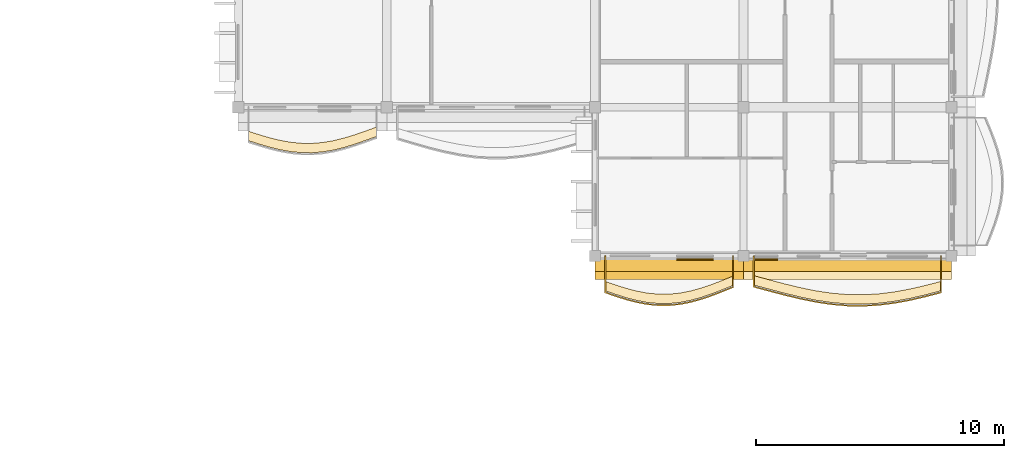
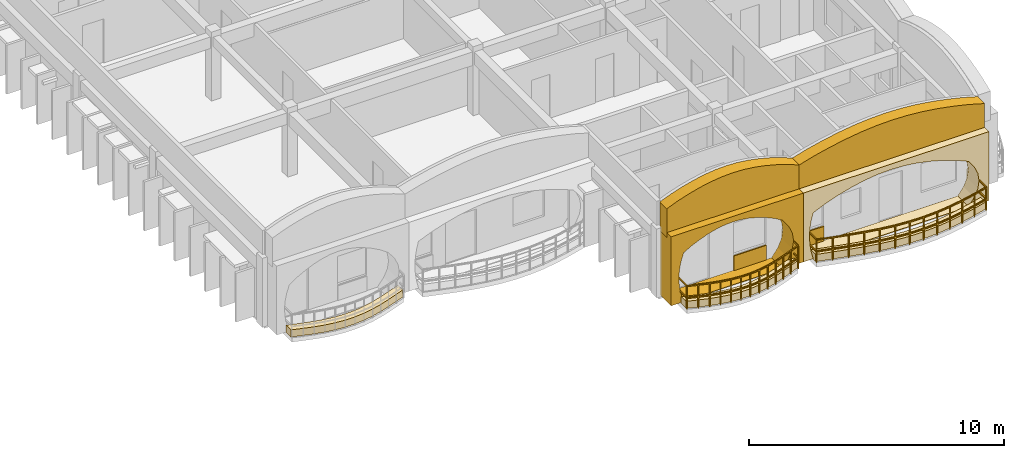
# One storey, part 51 of 59: 9 coverings, 2 railings.
"""IFC4 building model written with IfcOpenShell, lengths in metres."""

import ifcopenshell
import ifcopenshell.guid

model = None  # the IFC model being written
_history = None  # IfcOwnerHistory: only IFC2X3 demands one
_inside = {}  # id of a spatial element -> (the spatial element, [elements in it])
_under = {}  # id of a project, library or spatial element -> (it, [spatial elements below it])
_declared = {}  # id of a project -> (the project, [libraries it declares])
_typed = {}  # id of a type object -> (the type object, [elements of that type])
_made_of = {}  # id of a material, layer set ... -> (it, [elements and type objects made of it])


def new_model(schema):
    """Start an empty IFC model of exactly this schema.

    Asked for "IFC4X3", IfcOpenShell would pick the latest addendum, in which some entities
    have other attributes; the version numbers below select the first issue.
    IFC2X3 requires an IfcOwnerHistory on every rooted entity: one is made here for all.
    """
    global model, _history
    if schema == "IFC4X3":
        model = ifcopenshell.file(schema_version=(4, 3, 0, 0))
    else:
        model = ifcopenshell.file(schema=schema)
    _inside.clear()
    _under.clear()
    _declared.clear()
    _typed.clear()
    _made_of.clear()
    _history = None
    if model.schema == "IFC2X3":
        org = make("IfcOrganization", Name="unknown")
        user = make(
            "IfcPersonAndOrganization",
            ThePerson=make("IfcPerson", FamilyName="unknown"),
            TheOrganization=org,
        )
        app = make(
            "IfcApplication",
            ApplicationDeveloper=org,
            Version="unknown",
            ApplicationFullName="unknown",
            ApplicationIdentifier="unknown",
        )
        _history = make(
            "IfcOwnerHistory",
            OwningUser=user,
            OwningApplication=app,
            ChangeAction="ADDED",
            CreationDate=0,
        )
    return model


def make(cls, **values):
    """One entity of the class cls with the attributes given. An attribute that is None is left unset."""
    return model.create_entity(
        cls, **{name: value for name, value in values.items() if value is not None}
    )


def rooted(cls, **values):
    """An entity with a GlobalId (a new one), such as an element, a storey or a relation."""
    return make(cls, GlobalId=ifcopenshell.guid.new(), OwnerHistory=_history, **values)


def si_unit(unit_type, name, prefix=None):
    """IfcSIUnit, for example si_unit("LENGTHUNIT", "METRE", prefix="MILLI")."""
    return make("IfcSIUnit", UnitType=unit_type, Prefix=prefix, Name=name)


def assignment(units):
    """IfcUnitAssignment: the units of a project."""
    return None if units is None else make("IfcUnitAssignment", Units=units)


def point(xyz):
    """IfcCartesianPoint."""
    return None if xyz is None else make("IfcCartesianPoint", Coordinates=xyz)


def direction(xyz):
    """IfcDirection."""
    return None if xyz is None else make("IfcDirection", DirectionRatios=xyz)


def frame(location, z_axis=None, x_axis=None):
    """IfcAxis2Placement3D, a coordinate frame: its origin and axes. An axis left out is left unset."""
    return make(
        "IfcAxis2Placement3D",
        Location=point(location),
        Axis=direction(z_axis),
        RefDirection=direction(x_axis),
    )


def frame_2d(location, x_axis=None):
    """IfcAxis2Placement2D, a coordinate frame in the plane: its origin and x axis."""
    return make(
        "IfcAxis2Placement2D", Location=point(location), RefDirection=direction(x_axis)
    )


def origin():
    """The frame at (0, 0, 0) with its axes left unset."""
    return frame((0.0, 0.0, 0.0))


def origin_2d():
    """The frame at (0, 0) in the plane with its x axis left unset."""
    return frame_2d((0.0, 0.0))


def place(relative_to, where):
    """IfcLocalPlacement: puts the frame where relative to a parent placement (None: the world)."""
    return make(
        "IfcLocalPlacement", PlacementRelTo=relative_to, RelativePlacement=where
    )


def context(
    kind, dimensions, precision=None, world=None, true_north=None, identifier=None
):
    """IfcGeometricRepresentationContext, for example the 3D "Model" context."""
    return make(
        "IfcGeometricRepresentationContext",
        ContextIdentifier=identifier,
        ContextType=kind,
        CoordinateSpaceDimension=dimensions,
        Precision=precision,
        WorldCoordinateSystem=world,
        TrueNorth=true_north,
    )


def subcontext(parent, identifier, kind, view, scale=None):
    """IfcGeometricRepresentationSubContext, for example "Body" below "Model"."""
    return make(
        "IfcGeometricRepresentationSubContext",
        ContextIdentifier=identifier,
        ContextType=kind,
        ParentContext=parent,
        TargetScale=scale,
        TargetView=view,
    )


def project(units=None, contexts=None):
    """IfcProject with its units and contexts."""
    return rooted(
        "IfcProject",
        Name="project",
        RepresentationContexts=contexts,
        UnitsInContext=assignment(units),
    )


def spatial(cls, under=None, at=None, **own):
    """A site, building, storey or space (cls), placed at a placement, below another one or the project."""
    s = rooted(cls, ObjectPlacement=at, **own)
    if under is not None:
        _under.setdefault(under.id(), (under, []))[1].append(s)
    return s


def polyline(points):
    """IfcPolyline through the points."""
    return make("IfcPolyline", Points=[point(p) for p in points])


def profile(cls, at=None, kind="AREA", **sizes):
    """A parametric profile (cls). Its sizes go by their IFC names, for example OverallWidth=200.0."""
    return make(cls, ProfileType=kind, Position=at, **sizes)


def rectangle(**sizes):
    """IfcRectangleProfileDef."""
    return profile("IfcRectangleProfileDef", **sizes)


def outline(outer, holes=None, kind="AREA"):
    """IfcArbitraryClosedProfileDef: a profile drawn as a closed curve; with holes, ...WithVoids."""
    if holes is None:
        return make("IfcArbitraryClosedProfileDef", ProfileType=kind, OuterCurve=outer)
    return make(
        "IfcArbitraryProfileDefWithVoids",
        ProfileType=kind,
        OuterCurve=outer,
        InnerCurves=holes,
    )


def extrude(swept, where, along, depth):
    """IfcExtrudedAreaSolid: the profile swept, set in the frame where, extruded along a direction by depth."""
    return make(
        "IfcExtrudedAreaSolid",
        SweptArea=swept,
        Position=where,
        ExtrudedDirection=direction(along),
        Depth=depth,
    )


def shape(context_of_items, identifier, shape_type, items):
    """IfcShapeRepresentation: the items that make up one representation, for example the "Body"."""
    return make(
        "IfcShapeRepresentation",
        ContextOfItems=context_of_items,
        RepresentationIdentifier=identifier,
        RepresentationType=shape_type,
        Items=items,
    )


def material(Name=None, Category=None):
    """IfcMaterial."""
    return make("IfcMaterial", Name=Name, Category=Category)


def layer(
    of_material, thickness, ventilated=None, Name=None, Category=None, Priority=None
):
    """IfcMaterialLayer: one layer of a wall or slab, of a material (None: an air gap)."""
    return make(
        "IfcMaterialLayer",
        Material=of_material,
        LayerThickness=thickness,
        IsVentilated=ventilated,
        Name=Name,
        Category=Category,
        Priority=Priority,
    )


def layer_set(layers, Name=None):
    """IfcMaterialLayerSet."""
    return make("IfcMaterialLayerSet", MaterialLayers=layers, LayerSetName=Name)


def made_of(thing, what):
    """Note that an element or type object is made of a material, layer set ...; save() writes the relation."""
    if what is not None:
        _made_of.setdefault(what.id(), (what, []))[1].append(thing)
    return thing


def type_object(cls, material=None, **own):
    """A type object (cls), such as IfcWallType, which elements share."""
    return made_of(rooted(cls, **own), material)


def element(
    cls,
    number,
    at=None,
    inside=None,
    cuts=None,
    type_object=None,
    material=None,
    context=None,
    identifier="Body",
    shape_type=None,
    held_by="IfcProductDefinitionShape",
    body=None,
    shapes=None,
    **own,
):
    """One element of the class cls, such as IfcWall. Its Tag is "e" and its number.

    at: its placement. inside: the storey or other place that contains it. cuts: it is an
    opening in that element (IfcRelVoidsElement). A single representation is given by context,
    identifier, shape_type and body (its items); several are given by shapes. held_by: the class
    of the entity that holds the representations. save() writes the other relations.
    """
    e = rooted(cls, Tag="e%d" % number, ObjectPlacement=at, **own)
    if body is not None:
        shapes = [shape(context, identifier, shape_type, body)]
    if shapes is not None:
        e.Representation = make(held_by, Representations=shapes)
    if inside is not None:
        _inside.setdefault(inside.id(), (inside, []))[1].append(e)
    if cuts is not None:
        rooted(
            "IfcRelVoidsElement", RelatingBuildingElement=cuts, RelatedOpeningElement=e
        )
    if type_object is not None:
        _typed.setdefault(type_object.id(), (type_object, []))[1].append(e)
    return made_of(e, material)


def aggregate(whole, parts):
    """IfcRelAggregates: a whole, such as a stair, and the parts it consists of."""
    return rooted("IfcRelAggregates", RelatingObject=whole, RelatedObjects=parts)


def save(model, path):
    """Write the relations noted so far, then the file.

    IfcRelAggregates (storeys below a building ...), IfcRelContainedInSpatialStructure (elements
    in a storey), IfcRelDefinesByType, IfcRelAssociatesMaterial and IfcRelDeclares: one each for
    every whole, place, type object, material and project.
    """
    for whole, parts in _under.values():
        aggregate(whole, parts)
    for where, things in _inside.values():
        rooted(
            "IfcRelContainedInSpatialStructure",
            RelatedElements=things,
            RelatingStructure=where,
        )
    for kind, things in _typed.values():
        rooted("IfcRelDefinesByType", RelatedObjects=things, RelatingType=kind)
    for what, things in _made_of.values():
        rooted("IfcRelAssociatesMaterial", RelatedObjects=things, RelatingMaterial=what)
    for by, libraries in _declared.values():
        rooted("IfcRelDeclares", RelatingContext=by, RelatedDefinitions=libraries)
    model.write(path)


model = new_model("IFC4")

# Units and contexts
model_context = context("Model", 3, precision=1e-05, world=origin(), true_north=direction((0.0, 1.0)))
body_context = subcontext(model_context, "Body", "Model", "MODEL_VIEW")
ifc_project = project(units=[si_unit("LENGTHUNIT", "METRE"), si_unit("AREAUNIT", "SQUARE_METRE"), si_unit("VOLUMEUNIT", "CUBIC_METRE"), si_unit("PLANEANGLEUNIT", "RADIAN"), si_unit("MASSUNIT", "GRAM", prefix="KILO"), si_unit("THERMODYNAMICTEMPERATUREUNIT", "KELVIN")], contexts=[model_context])

# Site, building, storey
site_placement = place(None, origin())
site = spatial("IfcSite", under=ifc_project, at=site_placement, CompositionType="ELEMENT")
building_placement = place(site_placement, origin())
building = spatial("IfcBuilding", under=site, at=building_placement, Name="Thalorik Housing Commons", CompositionType="ELEMENT")
storey_placement = place(building_placement, frame((0.0, 0.0, 27.89990234375)))
storey = spatial("IfcBuildingStorey", under=building, at=storey_placement, Name="L08", CompositionType="ELEMENT", Elevation=27.89990234375)

# Coverings
ifc_material_1 = material(Name="Cobalt blue glazed ceramic facade tile panel", Category="masonry")
ifc_layer_1 = layer(ifc_material_1, 0.06005859375, Name="Cobalt blue glazed ceramic facade tile panel", Category="masonry")
ifc_layer_set_1 = layer_set([ifc_layer_1], Name="Cobalt blue glazed ceramic facade tile panel")
covering_type_1 = type_object("IfcCoveringType", Name="ARC-CLD-BLU-60", PredefinedType="CLADDING", material=ifc_layer_set_1)
covering_1_placement = place(storey_placement, frame((156.43994140625, 37.052490234375, 0.05029296875), z_axis=(0.0, 0.0, 1.0), x_axis=(1.0, 0.0, 0.0)))
element("IfcCovering", 1, at=covering_1_placement, inside=storey, type_object=covering_type_1, Name="L08 De Stijl Recessed Window Spandrel 5106", PredefinedType="CLADDING", context=body_context, shape_type="SweptSolid", body=[
    extrude(rectangle(XDim=1.47998046875, YDim=0.06005859375, at=origin_2d()), origin(), (0.0, 0.0, 1.0), 0.699951171875),
])
ifc_material_2 = material(Name="Precast concrete C40/50", Category="concrete")
ifc_layer_2 = layer(ifc_material_2, 0.85009765625, Name="Precast concrete C40/50", Category="concrete")
ifc_layer_set_2 = layer_set([ifc_layer_2], Name="Precast concrete C40/50")
covering_type_2 = type_object("IfcCoveringType", Name="ARC-CLD-CUSH-850", PredefinedType="CLADDING", material=ifc_layer_set_2)
covering_2_placement = place(storey_placement, frame((155.39990234375, 36.66259765625, 0.0), z_axis=(0.0, 0.0, 1.0), x_axis=(1.0, 0.0, 0.0)))
element("IfcCovering", 2, at=covering_2_placement, inside=storey, type_object=covering_type_2, Name="L08 White Precast Curved Cushion Bay Frame 5105", PredefinedType="CLADDING", context=body_context, shape_type="SweptSolid", body=[
    extrude(outline(polyline([(-3.0, 0.0), (3.0, 0.0), (3.0, 3.300048828125), (-3.0, 3.300048828125), (-3.0, 0.0)]), holes=[polyline([(2.0400390625, 0.02490234375), (2.3232421875, 0.410888671875), (2.493408203125, 0.796630859375), (2.550048828125, 1.1826171875), (2.493408203125, 1.568359375), (2.3232421875, 1.9541015625), (2.0400390625, 2.340087890625), (1.66748046875, 2.552978515625), (1.294921875, 2.720458984375), (0.922607421875, 2.85595703125), (0.550048828125, 2.956787109375), (0.177490234375, 3.01904296875), (-0.195068359375, 3.0400390625), (-0.5673828125, 3.01904296875), (-0.93994140625, 2.956787109375), (-1.3125, 2.85595703125), (-1.68505859375, 2.720458984375), (-2.0576171875, 2.552978515625), (-2.429931640625, 2.340087890625), (-2.55029296875, 1.9541015625), (-2.62255859375, 1.568359375), (-2.646484375, 1.1826171875), (-2.62255859375, 0.796630859375), (-2.55029296875, 0.410888671875), (-2.429931640625, 0.02490234375), (2.0400390625, 0.02490234375)])]), frame((0.0, 0.425048828125, 0.0), z_axis=(0.0, -1.0, 0.0), x_axis=(1.0, 0.0, 0.0)), (0.0, 0.0, 1.0), 0.85009765625),
])
covering_3_placement = place(storey_placement, frame((162.60009765625, 36.66259765625, 0.0), z_axis=(0.0, 0.0, 1.0), x_axis=(1.0, 0.0, 0.0)))
element("IfcCovering", 3, at=covering_3_placement, inside=storey, type_object=covering_type_2, Name="L08 White Precast Curved Cushion Bay Frame 5107", PredefinedType="CLADDING", context=body_context, shape_type="SweptSolid", body=[
    extrude(outline(polyline([(-4.199951171875, 0.0), (4.199951171875, 0.0), (4.199951171875, 3.300048828125), (-4.199951171875, 3.300048828125), (-4.199951171875, 0.0)]), holes=[polyline([(3.27001953125, 0.02490234375), (3.53662109375, 0.387451171875), (3.69677734375, 0.75), (3.75, 1.112548828125), (3.69677734375, 1.47509765625), (3.53662109375, 1.83740234375), (3.27001953125, 2.199951171875), (2.68359375, 2.455810546875), (2.097412109375, 2.656494140625), (1.51123046875, 2.819091796875), (0.925048828125, 2.940185546875), (0.338623046875, 3.014892578125), (-0.24755859375, 3.0400390625), (-0.833740234375, 3.014892578125), (-1.419921875, 2.940185546875), (-2.00634765625, 2.819091796875), (-2.592529296875, 2.656494140625), (-3.1787109375, 2.455810546875), (-3.764892578125, 2.199951171875), (-3.856689453125, 1.83740234375), (-3.911865234375, 1.47509765625), (-3.930419921875, 1.112548828125), (-3.911865234375, 0.75), (-3.856689453125, 0.387451171875), (-3.764892578125, 0.02490234375), (3.27001953125, 0.02490234375)])]), frame((0.0, 0.425048828125, 0.0), z_axis=(0.0, -1.0, 0.0), x_axis=(1.0, 0.0, 0.0)), (0.0, 0.0, 1.0), 0.85009765625),
])
ifc_layer_3 = layer(ifc_material_2, 0.550048828125, Name="Precast concrete C40/50", Category="concrete")
ifc_layer_set_3 = layer_set([ifc_layer_3], Name="Precast concrete C40/50")
covering_type_3 = type_object("IfcCoveringType", Name="ARC-CLD-PAR-550", PredefinedType="CLADDING", material=ifc_layer_set_3)
covering_4_placement = place(storey_placement, frame((155.39990234375, 36.85009765625, 3.06005859375), z_axis=(0.0, 0.0, 1.0), x_axis=(1.0, 0.0, 0.0)))
element("IfcCovering", 4, at=covering_4_placement, inside=storey, type_object=covering_type_3, Name="L08 Block D Scalloped White Precast Parapet Crest 5121", PredefinedType="CLADDING", context=body_context, shape_type="SweptSolid", body=[
    extrude(outline(polyline([(-3.0, 0.0), (3.0, 0.0), (3.0, 1.3798828125), (2.5, 1.58154296875), (2.0, 1.744384765625), (1.5, 1.877685546875), (1.0, 1.977294921875), (0.5, 2.0390625), (0.0, 2.06005859375), (-0.5, 2.0390625), (-1.0, 1.977294921875), (-1.5, 1.877685546875), (-2.0, 1.744384765625), (-2.5, 1.58154296875), (-3.0, 1.3798828125), (-3.0, 0.0)])), frame((0.0, 0.27490234375, 0.0), z_axis=(0.0, -1.0, 0.0), x_axis=(1.0, 0.0, 0.0)), (0.0, 0.0, 1.0), 0.550048828125),
])
covering_5_placement = place(storey_placement, frame((162.60009765625, 36.85009765625, 3.06005859375), z_axis=(0.0, 0.0, 1.0), x_axis=(1.0, 0.0, 0.0)))
element("IfcCovering", 5, at=covering_5_placement, inside=storey, type_object=covering_type_3, Name="L08 Block D Scalloped White Precast Parapet Crest 5122", PredefinedType="CLADDING", context=body_context, shape_type="SweptSolid", body=[
    extrude(outline(polyline([(-4.199951171875, 0.0), (4.199951171875, 0.0), (4.199951171875, 1.3798828125), (3.5, 1.58154296875), (2.800048828125, 1.744384765625), (2.10009765625, 1.877685546875), (1.39990234375, 1.977294921875), (0.699951171875, 2.0390625), (0.0, 2.06005859375), (-0.699951171875, 2.0390625), (-1.39990234375, 1.977294921875), (-2.10009765625, 1.877685546875), (-2.800048828125, 1.744384765625), (-3.5, 1.58154296875), (-4.199951171875, 1.3798828125), (-4.199951171875, 0.0)])), frame((0.0, 0.27490234375, 0.0), z_axis=(0.0, -1.0, 0.0), x_axis=(1.0, 0.0, 0.0)), (0.0, 0.0, 1.0), 0.550048828125),
])
ifc_material_3 = material(Name="Mineral ochre architectural terracotta panel", Category="masonry")
ifc_layer_4 = layer(ifc_material_3, 0.06494140625, Name="Mineral ochre architectural terracotta panel", Category="masonry")
ifc_layer_set_4 = layer_set([ifc_layer_4], Name="Mineral ochre architectural terracotta panel")
covering_type_4 = type_object("IfcCoveringType", Name="ARC-CLD-YEL-65", PredefinedType="CLADDING", material=ifc_layer_set_4)
covering_6_placement = place(storey_placement, frame((159.3349609375, 37.050048828125, 0.05029296875), z_axis=(0.0, 0.0, 1.0), x_axis=(1.0, 0.0, 0.0)))
element("IfcCovering", 6, at=covering_6_placement, inside=storey, type_object=covering_type_4, Name="L08 De Stijl Recessed Window Spandrel 5108", PredefinedType="CLADDING", context=body_context, shape_type="SweptSolid", body=[
    extrude(rectangle(XDim=0.89990234375, YDim=0.06494140625, at=origin_2d()), origin(), (0.0, 0.0, 1.0), 0.699951171875),
])
ifc_material_4 = material(Name="Planted vegetated substrate and terracotta trough", Category="masonry")
ifc_layer_5 = layer(ifc_material_4, 0.340087890625, Name="Planted vegetated substrate and terracotta trough", Category="masonry")
ifc_layer_set_5 = layer_set([ifc_layer_5], Name="Planted vegetated substrate and terracotta trough")
covering_type_5 = type_object("IfcCoveringType", Name="ARC-COV-PLANTER", PredefinedType="USERDEFINED", material=ifc_layer_set_5)
covering_7_placement = place(storey_placement, origin())
element("IfcCovering", 7, at=covering_7_placement, inside=storey, type_object=covering_type_5, Name="L08 Balcony Slab-Edge Planted Trough 5699", ObjectType="PLANTER", PredefinedType="USERDEFINED", context=body_context, shape_type="SweptSolid", body=[
    extrude(outline(polyline([(152.820068359375, 35.787841796875), (153.25, 35.63818359375), (153.679931640625, 35.503173828125), (154.110107421875, 35.39208984375), (154.5400390625, 35.313232421875), (154.969970703125, 35.272705078125), (155.39990234375, 35.2734375), (155.830078125, 35.316650390625), (156.260009765625, 35.39990234375), (156.68994140625, 35.51806640625), (157.1201171875, 35.6640625), (157.550048828125, 35.82861328125), (157.97998046875, 36.000732421875), (157.97998046875, 36.380859375), (157.550048828125, 36.20849609375), (157.1201171875, 36.044189453125), (156.68994140625, 35.898193359375), (156.260009765625, 35.77978515625), (155.830078125, 35.696533203125), (155.39990234375, 35.653564453125), (154.969970703125, 35.652587890625), (154.5400390625, 35.693359375), (154.110107421875, 35.772216796875), (153.679931640625, 35.88330078125), (153.25, 36.018310546875), (152.820068359375, 36.167724609375), (152.820068359375, 35.787841796875)])), origin(), (0.0, 0.0, 1.0), 0.340087890625),
])
covering_8_placement = place(storey_placement, origin())
element("IfcCovering", 8, at=covering_8_placement, inside=storey, type_object=covering_type_5, Name="L08 Balcony Slab-Edge Planted Trough 5700", ObjectType="PLANTER", PredefinedType="USERDEFINED", context=body_context, shape_type="SweptSolid", body=[
    extrude(outline(polyline([(158.820068359375, 36.01806640625), (159.449951171875, 35.849365234375), (160.080078125, 35.683349609375), (160.7099609375, 35.53173828125), (161.340087890625, 35.40478515625), (161.969970703125, 35.311279296875), (162.60009765625, 35.25830078125), (163.22998046875, 35.2490234375), (163.860107421875, 35.28466796875), (164.489990234375, 35.36279296875), (165.1201171875, 35.478515625), (165.75, 35.623779296875), (166.3798828125, 35.788818359375), (166.3798828125, 36.168701171875), (165.75, 36.00390625), (165.1201171875, 35.858642578125), (164.489990234375, 35.742919921875), (163.860107421875, 35.664794921875), (163.22998046875, 35.62890625), (162.60009765625, 35.63818359375), (161.969970703125, 35.69140625), (161.340087890625, 35.784912109375), (160.7099609375, 35.911865234375), (160.080078125, 36.0634765625), (159.449951171875, 36.229248046875), (158.820068359375, 36.39794921875), (158.820068359375, 36.01806640625)])), origin(), (0.0, 0.0, 1.0), 0.340087890625),
])
covering_9_placement = place(storey_placement, origin())
element("IfcCovering", 9, at=covering_9_placement, inside=storey, type_object=covering_type_5, Name="L08 Balcony Slab-Edge Planted Trough 5701", ObjectType="PLANTER", PredefinedType="USERDEFINED", context=body_context, shape_type="SweptSolid", body=[
    extrude(outline(polyline([(138.419921875, 41.846923828125), (138.85009765625, 41.709228515625), (139.280029296875, 41.58349609375), (139.7099609375, 41.47900390625), (140.139892578125, 41.40380859375), (140.570068359375, 41.36328125), (141.0, 41.361328125), (141.429931640625, 41.398681640625), (141.860107421875, 41.472900390625), (142.2900390625, 41.579833984375), (142.719970703125, 41.71240234375), (143.14990234375, 41.861572265625), (143.580078125, 42.017333984375), (143.580078125, 42.3974609375), (143.14990234375, 42.24169921875), (142.719970703125, 42.09228515625), (142.2900390625, 41.9599609375), (141.860107421875, 41.85302734375), (141.429931640625, 41.778564453125), (141.0, 41.741455078125), (140.570068359375, 41.743408203125), (140.139892578125, 41.78369140625), (139.7099609375, 41.859130859375), (139.280029296875, 41.963623046875), (138.85009765625, 42.08935546875), (138.419921875, 42.22705078125), (138.419921875, 41.846923828125)])), origin(), (0.0, 0.0, 1.0), 0.340087890625),
])

# Railings
ifc_material_5 = material(Name="Steel S355", Category="steel")
railing_type_1 = type_object("IfcRailingType", Name="ARC-RL-BAL-112", PredefinedType="BALUSTRADE", material=ifc_material_5)
railing_1_placement = place(storey_placement, frame((158.820068359375, 37.199951171875, 0.0)))
element("IfcRailing", 10, at=railing_1_placement, inside=storey, type_object=railing_type_1, Name="L08 Cushion Balcony Guardrail 384", PredefinedType="BALUSTRADE", context=body_context, shape_type="SweptSolid", body=[
    extrude(rectangle(XDim=0.050048828125, YDim=0.050048828125, at=origin_2d()), frame((0.0, 0.0, 1.09521484375), z_axis=(0.0, -1.0, 0.0), x_axis=(1.0, 0.0, 0.0)), (0.0, 0.0, 1.0), 1.251953125),
    extrude(rectangle(XDim=0.050048828125, YDim=0.050048828125, at=origin_2d()), frame((0.0, 0.0, 0.53515625), z_axis=(0.0, -1.0, 0.0), x_axis=(1.0, 0.0, 0.0)), (0.0, 0.0, 1.0), 1.251953125),
    extrude(rectangle(XDim=0.050048828125, YDim=0.050048828125, at=origin_2d()), frame((0.0, -1.251953125, 1.09521484375), z_axis=(0.965954734925, -0.258711132493, 0.0), x_axis=(0.258711132493, 0.965954734925, 0.0)), (0.0, 0.0, 1.0), 0.652099609375),
    extrude(rectangle(XDim=0.050048828125, YDim=0.050048828125, at=origin_2d()), frame((0.0, -1.251953125, 0.53515625), z_axis=(0.965954734925, -0.258711132493, 0.0), x_axis=(0.258711132493, 0.965954734925, 0.0)), (0.0, 0.0, 1.0), 0.652099609375),
    extrude(rectangle(XDim=0.050048828125, YDim=0.050048828125, at=origin_2d()), frame((0.6298828125, -1.420654296875, 1.09521484375), z_axis=(0.967001700747, -0.254769917283, 0.0), x_axis=(0.254769917283, 0.967001700747, 0.0)), (0.0, 0.0, 1.0), 0.651611328125),
    extrude(rectangle(XDim=0.050048828125, YDim=0.050048828125, at=origin_2d()), frame((0.6298828125, -1.420654296875, 0.53515625), z_axis=(0.967001700747, -0.254769917283, 0.0), x_axis=(0.254769917283, 0.967001700747, 0.0)), (0.0, 0.0, 1.0), 0.651611328125),
    extrude(rectangle(XDim=0.050048828125, YDim=0.050048828125, at=origin_2d()), frame((1.260009765625, -1.586669921875, 1.09521484375), z_axis=(0.972318842444, -0.233658016401, 0.0), x_axis=(0.233658016401, 0.972318842444, 0.0)), (0.0, 0.0, 1.0), 0.647705078125),
    extrude(rectangle(XDim=0.050048828125, YDim=0.050048828125, at=origin_2d()), frame((1.260009765625, -1.586669921875, 0.53515625), z_axis=(0.972318842444, -0.233658016401, 0.0), x_axis=(0.233658016401, 0.972318842444, 0.0)), (0.0, 0.0, 1.0), 0.647705078125),
    extrude(rectangle(XDim=0.050048828125, YDim=0.050048828125, at=origin_2d()), frame((1.889892578125, -1.738037109375, 1.09521484375), z_axis=(0.980228537003, -0.19786868182, 0.0), x_axis=(0.19786868182, 0.980228537003, 0.0)), (0.0, 0.0, 1.0), 0.642822265625),
    extrude(rectangle(XDim=0.050048828125, YDim=0.050048828125, at=origin_2d()), frame((1.889892578125, -1.738037109375, 0.53515625), z_axis=(0.980228537003, -0.19786868182, 0.0), x_axis=(0.19786868182, 0.980228537003, 0.0)), (0.0, 0.0, 1.0), 0.642822265625),
    extrude(rectangle(XDim=0.050048828125, YDim=0.050048828125, at=origin_2d()), frame((2.52001953125, -1.865234375, 1.09521484375), z_axis=(0.989215810528, -0.146465286675, 0.0), x_axis=(0.146465286675, 0.989215810528, 0.0)), (0.0, 0.0, 1.0), 0.63671875),
    extrude(rectangle(XDim=0.050048828125, YDim=0.050048828125, at=origin_2d()), frame((2.52001953125, -1.865234375, 0.53515625), z_axis=(0.989215810528, -0.146465286675, 0.0), x_axis=(0.146465286675, 0.989215810528, 0.0)), (0.0, 0.0, 1.0), 0.63671875),
    extrude(rectangle(XDim=0.050048828125, YDim=0.050048828125, at=origin_2d()), frame((3.14990234375, -1.95849609375, 1.09521484375), z_axis=(0.996451941002, -0.084163705207, 0.0), x_axis=(0.084163705207, 0.996451941002, 0.0)), (0.0, 0.0, 1.0), 0.63232421875),
    extrude(rectangle(XDim=0.050048828125, YDim=0.050048828125, at=origin_2d()), frame((3.14990234375, -1.95849609375, 0.53515625), z_axis=(0.996451941002, -0.084163705207, 0.0), x_axis=(0.084163705207, 0.996451941002, 0.0)), (0.0, 0.0, 1.0), 0.63232421875),
    extrude(rectangle(XDim=0.050048828125, YDim=0.050048828125, at=origin_2d()), frame((3.780029296875, -2.01171875, 1.09521484375), z_axis=(0.999891550605, -0.014727084854, 0.0), x_axis=(0.014727084854, 0.999891550605, 0.0)), (0.0, 0.0, 1.0), 0.6298828125),
    extrude(rectangle(XDim=0.050048828125, YDim=0.050048828125, at=origin_2d()), frame((3.780029296875, -2.01171875, 0.53515625), z_axis=(0.999891550605, -0.014727084854, 0.0), x_axis=(0.014727084854, 0.999891550605, 0.0)), (0.0, 0.0, 1.0), 0.6298828125),
    extrude(rectangle(XDim=0.050048828125, YDim=0.050048828125, at=origin_2d()), frame((4.409912109375, -2.02099609375, 1.09521484375), z_axis=(0.998403904129, 0.056476935297, 0.0), x_axis=(-0.056476935297, 0.998403904129, 0.0)), (0.0, 0.0, 1.0), 0.631103515625),
    extrude(rectangle(XDim=0.050048828125, YDim=0.050048828125, at=origin_2d()), frame((4.409912109375, -2.02099609375, 0.53515625), z_axis=(0.998403904129, 0.056476935297, 0.0), x_axis=(-0.056476935297, 0.998403904129, 0.0)), (0.0, 0.0, 1.0), 0.631103515625),
    extrude(rectangle(XDim=0.050048828125, YDim=0.050048828125, at=origin_2d()), frame((5.0400390625, -1.9853515625, 1.09521484375), z_axis=(0.992348722959, 0.123466643438, 0.0), x_axis=(-0.123466643438, 0.992348722959, 0.0)), (0.0, 0.0, 1.0), 0.634765625),
    extrude(rectangle(XDim=0.050048828125, YDim=0.050048828125, at=origin_2d()), frame((5.0400390625, -1.9853515625, 0.53515625), z_axis=(0.992348722959, 0.123466643438, 0.0), x_axis=(-0.123466643438, 0.992348722959, 0.0)), (0.0, 0.0, 1.0), 0.634765625),
    extrude(rectangle(XDim=0.050048828125, YDim=0.050048828125, at=origin_2d()), frame((5.669921875, -1.906982421875, 1.09521484375), z_axis=(0.983551311417, 0.180628950644, 0.0), x_axis=(-0.180628950644, 0.983551311417, 0.0)), (0.0, 0.0, 1.0), 0.640625),
    extrude(rectangle(XDim=0.050048828125, YDim=0.050048828125, at=origin_2d()), frame((5.669921875, -1.906982421875, 0.53515625), z_axis=(0.983551311417, 0.180628950644, 0.0), x_axis=(-0.180628950644, 0.983551311417, 0.0)), (0.0, 0.0, 1.0), 0.640625),
    extrude(rectangle(XDim=0.050048828125, YDim=0.050048828125, at=origin_2d()), frame((6.300048828125, -1.791259765625, 1.09521484375), z_axis=(0.974423013182, 0.224721586373, 0.0), x_axis=(-0.224721586373, 0.974423013182, 0.0)), (0.0, 0.0, 1.0), 0.646484375),
    extrude(rectangle(XDim=0.050048828125, YDim=0.050048828125, at=origin_2d()), frame((6.300048828125, -1.791259765625, 0.53515625), z_axis=(0.974423013182, 0.224721586373, 0.0), x_axis=(-0.224721586373, 0.974423013182, 0.0)), (0.0, 0.0, 1.0), 0.646484375),
    extrude(rectangle(XDim=0.050048828125, YDim=0.050048828125, at=origin_2d()), frame((6.929931640625, -1.64599609375, 1.09521484375), z_axis=(0.967437836558, 0.253108736309, 0.0), x_axis=(-0.253108736309, 0.967437836558, 0.0)), (0.0, 0.0, 1.0), 0.651123046875),
    extrude(rectangle(XDim=0.050048828125, YDim=0.050048828125, at=origin_2d()), frame((6.929931640625, -1.64599609375, 0.53515625), z_axis=(0.967437836558, 0.253108736309, 0.0), x_axis=(-0.253108736309, 0.967437836558, 0.0)), (0.0, 0.0, 1.0), 0.651123046875),
    extrude(rectangle(XDim=0.050048828125, YDim=0.050048828125, at=origin_2d()), frame((7.559814453125, -1.481201171875, 1.09521484375), z_axis=(0.0, 1.0, 0.0), x_axis=(-1.0, 0.0, 0.0)), (0.0, 0.0, 1.0), 1.481201171875),
    extrude(rectangle(XDim=0.050048828125, YDim=0.050048828125, at=origin_2d()), frame((7.559814453125, -1.481201171875, 0.53515625), z_axis=(0.0, 1.0, 0.0), x_axis=(-1.0, 0.0, 0.0)), (0.0, 0.0, 1.0), 1.481201171875),
    extrude(rectangle(XDim=0.0419921875, YDim=0.0419921875, at=origin_2d()), origin(), (0.0, 0.0, 1.0), 1.070068359375),
    extrude(rectangle(XDim=0.0419921875, YDim=0.0419921875, at=origin_2d()), frame((0.0, -1.251953125, 0.0)), (0.0, 0.0, 1.0), 1.070068359375),
    extrude(rectangle(XDim=0.0419921875, YDim=0.0419921875, at=origin_2d()), frame((0.6298828125, -1.420654296875, 0.0)), (0.0, 0.0, 1.0), 1.070068359375),
    extrude(rectangle(XDim=0.0419921875, YDim=0.0419921875, at=origin_2d()), frame((1.260009765625, -1.586669921875, 0.0)), (0.0, 0.0, 1.0), 1.070068359375),
    extrude(rectangle(XDim=0.0419921875, YDim=0.0419921875, at=origin_2d()), frame((1.889892578125, -1.738037109375, 0.0)), (0.0, 0.0, 1.0), 1.070068359375),
    extrude(rectangle(XDim=0.0419921875, YDim=0.0419921875, at=origin_2d()), frame((2.52001953125, -1.865234375, 0.0)), (0.0, 0.0, 1.0), 1.070068359375),
    extrude(rectangle(XDim=0.0419921875, YDim=0.0419921875, at=origin_2d()), frame((3.14990234375, -1.95849609375, 0.0)), (0.0, 0.0, 1.0), 1.070068359375),
    extrude(rectangle(XDim=0.0419921875, YDim=0.0419921875, at=origin_2d()), frame((3.780029296875, -2.01171875, 0.0)), (0.0, 0.0, 1.0), 1.070068359375),
    extrude(rectangle(XDim=0.0419921875, YDim=0.0419921875, at=origin_2d()), frame((4.409912109375, -2.02099609375, 0.0)), (0.0, 0.0, 1.0), 1.070068359375),
    extrude(rectangle(XDim=0.0419921875, YDim=0.0419921875, at=origin_2d()), frame((5.0400390625, -1.9853515625, 0.0)), (0.0, 0.0, 1.0), 1.070068359375),
    extrude(rectangle(XDim=0.0419921875, YDim=0.0419921875, at=origin_2d()), frame((5.669921875, -1.906982421875, 0.0)), (0.0, 0.0, 1.0), 1.070068359375),
    extrude(rectangle(XDim=0.0419921875, YDim=0.0419921875, at=origin_2d()), frame((6.300048828125, -1.791259765625, 0.0)), (0.0, 0.0, 1.0), 1.070068359375),
    extrude(rectangle(XDim=0.0419921875, YDim=0.0419921875, at=origin_2d()), frame((6.929931640625, -1.64599609375, 0.0)), (0.0, 0.0, 1.0), 1.070068359375),
    extrude(rectangle(XDim=0.0419921875, YDim=0.0419921875, at=origin_2d()), frame((7.559814453125, -1.481201171875, 0.0)), (0.0, 0.0, 1.0), 1.070068359375),
    extrude(rectangle(XDim=0.0419921875, YDim=0.0419921875, at=origin_2d()), frame((7.559814453125, 0.0, 0.0)), (0.0, 0.0, 1.0), 1.070068359375),
])
railing_type_2 = type_object("IfcRailingType", Name="ARC-RL-BAL-115", PredefinedType="BALUSTRADE", material=ifc_material_5)
railing_2_placement = place(storey_placement, frame((152.820068359375, 37.199951171875, 0.0)))
element("IfcRailing", 11, at=railing_2_placement, inside=storey, type_object=railing_type_2, Name="L08 Cushion Balcony Guardrail 383", PredefinedType="BALUSTRADE", context=body_context, shape_type="SweptSolid", body=[
    extrude(rectangle(XDim=0.050048828125, YDim=0.050048828125, at=origin_2d()), frame((0.0, 0.0, 1.125), z_axis=(0.0, -1.0, 0.0), x_axis=(1.0, 0.0, 0.0)), (0.0, 0.0, 1.0), 1.482177734375),
    extrude(rectangle(XDim=0.050048828125, YDim=0.050048828125, at=origin_2d()), frame((0.0, 0.0, 0.5498046875), z_axis=(0.0, -1.0, 0.0), x_axis=(1.0, 0.0, 0.0)), (0.0, 0.0, 1.0), 1.482177734375),
    extrude(rectangle(XDim=0.050048828125, YDim=0.050048828125, at=origin_2d()), frame((0.0, -1.482177734375, 1.125), z_axis=(0.944583599267, -0.328270961244, 0.0), x_axis=(0.328270961244, 0.944583599267, 0.0)), (0.0, 0.0, 1.0), 0.455078125),
    extrude(rectangle(XDim=0.050048828125, YDim=0.050048828125, at=origin_2d()), frame((0.0, -1.482177734375, 0.5498046875), z_axis=(0.944583599267, -0.328270961244, 0.0), x_axis=(0.328270961244, 0.944583599267, 0.0)), (0.0, 0.0, 1.0), 0.455078125),
    extrude(rectangle(XDim=0.050048828125, YDim=0.050048828125, at=origin_2d()), frame((0.429931640625, -1.631591796875, 1.125), z_axis=(0.953909569084, -0.300094208559, 0.0), x_axis=(0.300094208559, 0.953909569084, 0.0)), (0.0, 0.0, 1.0), 0.45068359375),
    extrude(rectangle(XDim=0.050048828125, YDim=0.050048828125, at=origin_2d()), frame((0.429931640625, -1.631591796875, 0.5498046875), z_axis=(0.953909569084, -0.300094208559, 0.0), x_axis=(0.300094208559, 0.953909569084, 0.0)), (0.0, 0.0, 1.0), 0.45068359375),
    extrude(rectangle(XDim=0.050048828125, YDim=0.050048828125, at=origin_2d()), frame((0.85986328125, -1.766845703125, 1.125), z_axis=(0.968371622703, -0.249512325032, 0.0), x_axis=(0.249512325032, 0.968371622703, 0.0)), (0.0, 0.0, 1.0), 0.4443359375),
    extrude(rectangle(XDim=0.050048828125, YDim=0.050048828125, at=origin_2d()), frame((0.85986328125, -1.766845703125, 0.5498046875), z_axis=(0.968371622703, -0.249512325032, 0.0), x_axis=(0.249512325032, 0.968371622703, 0.0)), (0.0, 0.0, 1.0), 0.4443359375),
    extrude(rectangle(XDim=0.050048828125, YDim=0.050048828125, at=origin_2d()), frame((1.2900390625, -1.877685546875, 1.125), z_axis=(0.983591693619, -0.180408925065, 0.0), x_axis=(0.180408925065, 0.983591693619, 0.0)), (0.0, 0.0, 1.0), 0.43701171875),
    extrude(rectangle(XDim=0.050048828125, YDim=0.050048828125, at=origin_2d()), frame((1.2900390625, -1.877685546875, 0.5498046875), z_axis=(0.983591693619, -0.180408925065, 0.0), x_axis=(0.180408925065, 0.983591693619, 0.0)), (0.0, 0.0, 1.0), 0.43701171875),
    extrude(rectangle(XDim=0.050048828125, YDim=0.050048828125, at=origin_2d()), frame((1.719970703125, -1.95654296875, 1.125), z_axis=(0.995533503814, -0.094408912627, 0.0), x_axis=(0.094408912627, 0.995533503814, 0.0)), (0.0, 0.0, 1.0), 0.431884765625),
    extrude(rectangle(XDim=0.050048828125, YDim=0.050048828125, at=origin_2d()), frame((1.719970703125, -1.95654296875, 0.5498046875), z_axis=(0.995533503814, -0.094408912627, 0.0), x_axis=(0.094408912627, 0.995533503814, 0.0)), (0.0, 0.0, 1.0), 0.431884765625),
    extrude(rectangle(XDim=0.050048828125, YDim=0.050048828125, at=origin_2d()), frame((2.14990234375, -1.997314453125, 1.125), z_axis=(0.999997420298, 0.002271430824, 0.0), x_axis=(-0.002271430824, 0.999997420298, 0.0)), (0.0, 0.0, 1.0), 0.429931640625),
    extrude(rectangle(XDim=0.050048828125, YDim=0.050048828125, at=origin_2d()), frame((2.14990234375, -1.997314453125, 0.5498046875), z_axis=(0.999997420298, 0.002271430824, 0.0), x_axis=(-0.002271430824, 0.999997420298, 0.0)), (0.0, 0.0, 1.0), 0.429931640625),
    extrude(rectangle(XDim=0.050048828125, YDim=0.050048828125, at=origin_2d()), frame((2.579833984375, -1.996337890625, 1.125), z_axis=(0.995048366632, 0.099391891332, 0.0), x_axis=(-0.099391891332, 0.995048366632, 0.0)), (0.0, 0.0, 1.0), 0.432373046875),
    extrude(rectangle(XDim=0.050048828125, YDim=0.050048828125, at=origin_2d()), frame((2.579833984375, -1.996337890625, 0.5498046875), z_axis=(0.995048366632, 0.099391891332, 0.0), x_axis=(-0.099391891332, 0.995048366632, 0.0)), (0.0, 0.0, 1.0), 0.432373046875),
    extrude(rectangle(XDim=0.050048828125, YDim=0.050048828125, at=origin_2d()), frame((3.010009765625, -1.953369140625, 1.125), z_axis=(0.981763071343, 0.190108578835, 0.0), x_axis=(-0.190108578835, 0.981763071343, 0.0)), (0.0, 0.0, 1.0), 0.43798828125),
    extrude(rectangle(XDim=0.050048828125, YDim=0.050048828125, at=origin_2d()), frame((3.010009765625, -1.953369140625, 0.5498046875), z_axis=(0.981763071343, 0.190108578835, 0.0), x_axis=(-0.190108578835, 0.981763071343, 0.0)), (0.0, 0.0, 1.0), 0.43798828125),
    extrude(rectangle(XDim=0.050048828125, YDim=0.050048828125, at=origin_2d()), frame((3.43994140625, -1.8701171875, 1.125), z_axis=(0.964243880098, 0.265016489476, 0.0), x_axis=(-0.265016489476, 0.964243880098, 0.0)), (0.0, 0.0, 1.0), 0.44580078125),
    extrude(rectangle(XDim=0.050048828125, YDim=0.050048828125, at=origin_2d()), frame((3.43994140625, -1.8701171875, 0.5498046875), z_axis=(0.964243880098, 0.265016489476, 0.0), x_axis=(-0.265016489476, 0.964243880098, 0.0)), (0.0, 0.0, 1.0), 0.44580078125),
    extrude(rectangle(XDim=0.050048828125, YDim=0.050048828125, at=origin_2d()), frame((3.869873046875, -1.751953125, 1.125), z_axis=(0.946949496671, 0.321382405794, 0.0), x_axis=(-0.321382405794, 0.946949496671, 0.0)), (0.0, 0.0, 1.0), 0.454345703125),
    extrude(rectangle(XDim=0.050048828125, YDim=0.050048828125, at=origin_2d()), frame((3.869873046875, -1.751953125, 0.5498046875), z_axis=(0.946949496671, 0.321382405794, 0.0), x_axis=(-0.321382405794, 0.946949496671, 0.0)), (0.0, 0.0, 1.0), 0.454345703125),
    extrude(rectangle(XDim=0.050048828125, YDim=0.050048828125, at=origin_2d()), frame((4.300048828125, -1.60595703125, 1.125), z_axis=(0.933932105252, 0.357450448007, 0.0), x_axis=(-0.357450448007, 0.933932105252, 0.0)), (0.0, 0.0, 1.0), 0.46044921875),
    extrude(rectangle(XDim=0.050048828125, YDim=0.050048828125, at=origin_2d()), frame((4.300048828125, -1.60595703125, 0.5498046875), z_axis=(0.933932105252, 0.357450448007, 0.0), x_axis=(-0.357450448007, 0.933932105252, 0.0)), (0.0, 0.0, 1.0), 0.46044921875),
    extrude(rectangle(XDim=0.050048828125, YDim=0.050048828125, at=origin_2d()), frame((4.72998046875, -1.44140625, 1.125), z_axis=(0.928185604214, 0.372117567618, 0.0), x_axis=(-0.372117567618, 0.928185604214, 0.0)), (0.0, 0.0, 1.0), 0.463134765625),
    extrude(rectangle(XDim=0.050048828125, YDim=0.050048828125, at=origin_2d()), frame((4.72998046875, -1.44140625, 0.5498046875), z_axis=(0.928185604214, 0.372117567618, 0.0), x_axis=(-0.372117567618, 0.928185604214, 0.0)), (0.0, 0.0, 1.0), 0.463134765625),
    extrude(rectangle(XDim=0.050048828125, YDim=0.050048828125, at=origin_2d()), frame((5.159912109375, -1.26904296875, 1.125), z_axis=(0.0, 1.0, 0.0), x_axis=(-1.0, 0.0, 0.0)), (0.0, 0.0, 1.0), 1.26904296875),
    extrude(rectangle(XDim=0.050048828125, YDim=0.050048828125, at=origin_2d()), frame((5.159912109375, -1.26904296875, 0.5498046875), z_axis=(0.0, 1.0, 0.0), x_axis=(-1.0, 0.0, 0.0)), (0.0, 0.0, 1.0), 1.26904296875),
    extrude(rectangle(XDim=0.0419921875, YDim=0.0419921875, at=origin_2d()), origin(), (0.0, 0.0, 1.0), 1.099853515625),
    extrude(rectangle(XDim=0.0419921875, YDim=0.0419921875, at=origin_2d()), frame((0.0, -1.482177734375, 0.0)), (0.0, 0.0, 1.0), 1.099853515625),
    extrude(rectangle(XDim=0.0419921875, YDim=0.0419921875, at=origin_2d()), frame((0.429931640625, -1.631591796875, 0.0)), (0.0, 0.0, 1.0), 1.099853515625),
    extrude(rectangle(XDim=0.0419921875, YDim=0.0419921875, at=origin_2d()), frame((0.85986328125, -1.766845703125, 0.0)), (0.0, 0.0, 1.0), 1.099853515625),
    extrude(rectangle(XDim=0.0419921875, YDim=0.0419921875, at=origin_2d()), frame((1.2900390625, -1.877685546875, 0.0)), (0.0, 0.0, 1.0), 1.099853515625),
    extrude(rectangle(XDim=0.0419921875, YDim=0.0419921875, at=origin_2d()), frame((1.719970703125, -1.95654296875, 0.0)), (0.0, 0.0, 1.0), 1.099853515625),
    extrude(rectangle(XDim=0.0419921875, YDim=0.0419921875, at=origin_2d()), frame((2.14990234375, -1.997314453125, 0.0)), (0.0, 0.0, 1.0), 1.099853515625),
    extrude(rectangle(XDim=0.0419921875, YDim=0.0419921875, at=origin_2d()), frame((2.579833984375, -1.996337890625, 0.0)), (0.0, 0.0, 1.0), 1.099853515625),
    extrude(rectangle(XDim=0.0419921875, YDim=0.0419921875, at=origin_2d()), frame((3.010009765625, -1.953369140625, 0.0)), (0.0, 0.0, 1.0), 1.099853515625),
    extrude(rectangle(XDim=0.0419921875, YDim=0.0419921875, at=origin_2d()), frame((3.43994140625, -1.8701171875, 0.0)), (0.0, 0.0, 1.0), 1.099853515625),
    extrude(rectangle(XDim=0.0419921875, YDim=0.0419921875, at=origin_2d()), frame((3.869873046875, -1.751953125, 0.0)), (0.0, 0.0, 1.0), 1.099853515625),
    extrude(rectangle(XDim=0.0419921875, YDim=0.0419921875, at=origin_2d()), frame((4.300048828125, -1.60595703125, 0.0)), (0.0, 0.0, 1.0), 1.099853515625),
    extrude(rectangle(XDim=0.0419921875, YDim=0.0419921875, at=origin_2d()), frame((4.72998046875, -1.44140625, 0.0)), (0.0, 0.0, 1.0), 1.099853515625),
    extrude(rectangle(XDim=0.0419921875, YDim=0.0419921875, at=origin_2d()), frame((5.159912109375, -1.26904296875, 0.0)), (0.0, 0.0, 1.0), 1.099853515625),
    extrude(rectangle(XDim=0.0419921875, YDim=0.0419921875, at=origin_2d()), frame((5.159912109375, 0.0, 0.0)), (0.0, 0.0, 1.0), 1.099853515625),
])

save(model, "model.ifc")
